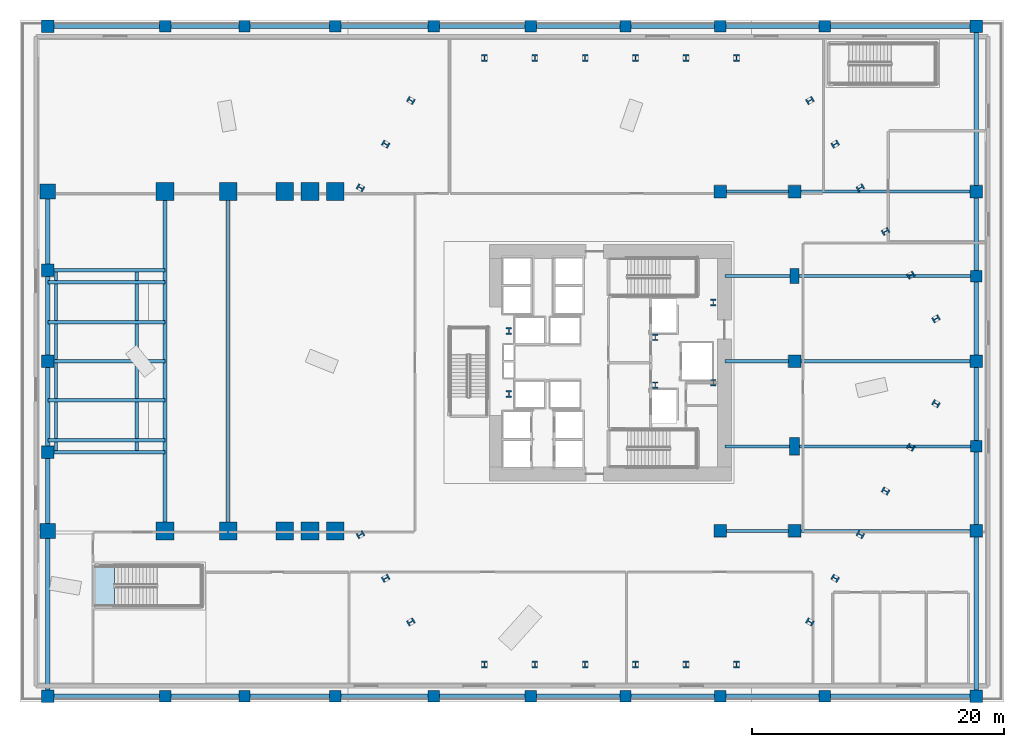
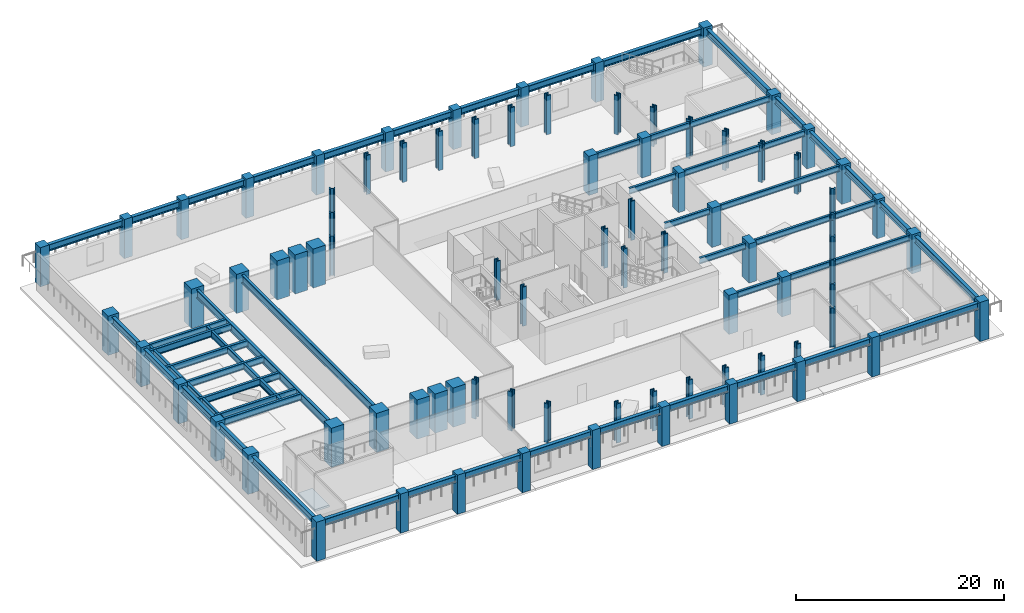
# One storey, part 1 of 18: 83 columns, 29 beams, 1 slab.
"""IFC4 building model written with IfcOpenShell, lengths in metres."""

from ifc_helpers import new_model, si_unit, direction, frame, origin, origin_2d, place, context, subcontext, project, spatial, polyline, rectangle, i_section, outline, extrude, material, layer, layer_set, material_profile, profile_set, type_object, element, save


model = new_model("IFC4")

# Units and contexts
model_context = context("Model", 3, precision=1e-05, world=origin(), true_north=direction((0.0, 1.0)))
body_context = subcontext(model_context, "Body", "Model", "MODEL_VIEW")
ifc_project = project(units=[si_unit("LENGTHUNIT", "METRE"), si_unit("AREAUNIT", "SQUARE_METRE"), si_unit("VOLUMEUNIT", "CUBIC_METRE"), si_unit("PLANEANGLEUNIT", "RADIAN"), si_unit("MASSUNIT", "GRAM", prefix="KILO")], contexts=[model_context])

# Site, building, storey
site_placement = place(None, origin())
site = spatial("IfcSite", under=ifc_project, at=site_placement, CompositionType="ELEMENT")
building_placement = place(site_placement, origin())
building = spatial("IfcBuilding", under=site, at=building_placement, Name="Valkerne Bourse Tower", CompositionType="ELEMENT")
storey_placement = place(building_placement, frame((0.0, 0.0, 14.800048828125)))
storey = spatial("IfcBuildingStorey", under=building, at=storey_placement, Name="L03", CompositionType="ELEMENT", Elevation=14.800048828125)

# Columns
ifc_material_1 = material(Name="Concrete C70/85", Category="concrete")
ifc_material_profile_1 = material_profile(ifc_material_1, rectangle(XDim=1.0, YDim=1.0, at=origin_2d()), Name="RC1000X1000")
ifc_profile_set_1 = profile_set([ifc_material_profile_1], Name="Concrete C70/85")
column_type_1 = type_object("IfcColumnType", Name="COL-RC1000X1000", PredefinedType="COLUMN", material=ifc_profile_set_1)
for number, where, z_axis, x_axis, name in (
    (1, (2.199951171875, 0.449951171875, 0.0048828125), (0.0, 0.0, 1.0), (1.0, 0.0, 0.0), "L03 Podium Column PW-1"),
    (2, (2.199951171875, 19.800048828125, 0.0048828125), (0.0, 0.0, 1.0), (1.0, 0.0, 0.0), "L03 Podium Column PW-3"),
    (3, (2.199951171875, 27.0, 0.0048828125), (0.0, 0.0, 1.0), (1.0, 0.0, 0.0), "L03 Podium Column PW-4"),
    (4, (2.199951171875, 34.199951171875, 0.0048828125), (0.0, 0.0, 1.0), (1.0, 0.0, 0.0), "L03 Podium Column PW-5"),
    (5, (2.199951171875, 53.550048828125, 0.0048828125), (0.0, 0.0, 1.0), (1.0, 0.0, 0.0), "L03 Podium Column PW-7"),
    (6, (75.800048828125, 0.449951171875, 0.0048828125), (0.0, 0.0, 1.0), (1.0, 0.0, 0.0), "L03 Podium Column PS-9"),
    (7, (75.800048828125, 53.550048828125, 0.0048828125), (0.0, 0.0, 1.0), (1.0, 0.0, 0.0), "L03 Podium Column PN-9"),
    (8, (75.800048828125, 13.550048828125, 0.0048828125), (0.0, 0.0, 1.0), (1.0, 0.0, 0.0), "L03 Podium Column PE-1"),
    (9, (75.800048828125, 27.0, 0.0048828125), (0.0, 0.0, 1.0), (1.0, 0.0, 0.0), "L03 Podium Column PE-3"),
    (10, (75.800048828125, 40.449951171875, 0.0048828125), (0.0, 0.0, 1.0), (1.0, 0.0, 0.0), "L03 Podium Column PE-5"),
    (11, (55.5, 13.550048828125, 0.0048828125), (0.0, 0.0, 1.0), (1.0, 0.0, 0.0), "L03 Podium Column PI-C1"),
    (12, (55.5, 40.449951171875, 0.0048828125), (0.0, 0.0, 1.0), (1.0, 0.0, 0.0), "L03 Podium Column PI-C2"),
    (13, (61.39990234375, 13.550048828125, 0.0048828125), (0.0, 0.0, 1.0), (1.0, 0.0, 0.0), "L03 Podium Column PI-E1"),
    (14, (61.39990234375, 27.0, 0.0048828125), (0.0, 0.0, 1.0), (1.0, 0.0, 0.0), "L03 Podium Column PI-E3"),
    (15, (61.39990234375, 40.449951171875, 0.0048828125), (0.0, 0.0, 1.0), (1.0, 0.0, 0.0), "L03 Podium Column PI-E5"),
):
    element("IfcColumn", number, at=place(storey_placement, frame(where, z_axis=z_axis, x_axis=x_axis)), inside=storey, type_object=column_type_1, Name=name, PredefinedType="COLUMN", context=body_context, shape_type="SweptSolid", body=[
        extrude(rectangle(XDim=1.0, YDim=1.0, at=origin_2d()), origin(), (0.0, 0.0, 1.0), 4.594970703125),
    ])
ifc_material_profile_2 = material_profile(ifc_material_1, rectangle(XDim=1.199951171875, YDim=1.199951171875, at=origin_2d()), Name="RC1200X1200")
ifc_profile_set_2 = profile_set([ifc_material_profile_2], Name="Concrete C70/85")
column_type_2 = type_object("IfcColumnType", Name="COL-RC1200X1200", PredefinedType="COLUMN", material=ifc_profile_set_2)
for number, where, z_axis, x_axis, name in (
    (16, (2.199951171875, 13.550048828125, 0.0048828125), (0.0, 0.0, 1.0), (1.0, 0.0, 0.0), "L03 Podium Column PW-2"),
    (17, (2.199951171875, 40.449951171875, 0.0048828125), (0.0, 0.0, 1.0), (1.0, 0.0, 0.0), "L03 Podium Column PW-6"),
):
    element("IfcColumn", number, at=place(storey_placement, frame(where, z_axis=z_axis, x_axis=x_axis)), inside=storey, type_object=column_type_2, Name=name, PredefinedType="COLUMN", context=body_context, shape_type="SweptSolid", body=[
        extrude(rectangle(XDim=1.199951171875, YDim=1.199951171875, at=origin_2d()), origin(), (0.0, 0.0, 1.0), 4.594970703125),
    ])
ifc_material_profile_3 = material_profile(ifc_material_1, rectangle(XDim=1.39990234375, YDim=1.39990234375, at=origin_2d()), Name="RC1400X1400")
ifc_profile_set_3 = profile_set([ifc_material_profile_3], Name="Concrete C70/85")
column_type_3 = type_object("IfcColumnType", Name="COL-RC1400X1400", PredefinedType="COLUMN", material=ifc_profile_set_3)
for number, where, z_axis, x_axis, name in (
    (18, (11.5, 13.550048828125, 0.0048828125), (0.0, 0.0, 1.0), (1.0, 0.0, 0.0), "L03 Podium Column MC-S1"),
    (19, (11.5, 40.449951171875, 0.0048828125), (0.0, 0.0, 1.0), (1.0, 0.0, 0.0), "L03 Podium Column MC-N1"),
    (20, (16.5, 13.550048828125, 0.0048828125), (0.0, 0.0, 1.0), (1.0, 0.0, 0.0), "L03 Podium Column MC-S2"),
    (21, (16.5, 40.449951171875, 0.0048828125), (0.0, 0.0, 1.0), (1.0, 0.0, 0.0), "L03 Podium Column MC-N2"),
    (22, (20.991943359375, 13.550048828125, 0.0048828125), (0.0, 0.0, 1.0), (1.0, 0.0, 0.0), "L03 Podium Column MCH-S1"),
    (23, (20.991943359375, 40.449951171875, 0.0048828125), (0.0, 0.0, 1.0), (1.0, 0.0, 0.0), "L03 Podium Column MCH-N1"),
    (24, (22.990966796875, 13.550048828125, 0.0048828125), (0.0, 0.0, 1.0), (1.0, 0.0, 0.0), "L03 Podium Column MCH-S2"),
    (25, (22.990966796875, 40.449951171875, 0.0048828125), (0.0, 0.0, 1.0), (1.0, 0.0, 0.0), "L03 Podium Column MCH-N2"),
    (26, (24.988037109375, 13.550048828125, 0.0048828125), (0.0, 0.0, 1.0), (1.0, 0.0, 0.0), "L03 Podium Column MCH-S3"),
    (27, (24.988037109375, 40.449951171875, 0.0048828125), (0.0, 0.0, 1.0), (1.0, 0.0, 0.0), "L03 Podium Column MCH-N3"),
):
    element("IfcColumn", number, at=place(storey_placement, frame(where, z_axis=z_axis, x_axis=x_axis)), inside=storey, type_object=column_type_3, Name=name, PredefinedType="COLUMN", context=body_context, shape_type="SweptSolid", body=[
        extrude(rectangle(XDim=1.39990234375, YDim=1.39990234375, at=origin_2d()), origin(), (0.0, 0.0, 1.0), 4.594970703125),
    ])
ifc_material_profile_4 = material_profile(ifc_material_1, rectangle(XDim=0.699951171875, YDim=1.199951171875, at=origin_2d()), Name="RC700X1200")
ifc_profile_set_4 = profile_set([ifc_material_profile_4], Name="Concrete C70/85")
column_type_4 = type_object("IfcColumnType", Name="COL-RC700X1200", PredefinedType="COLUMN", material=ifc_profile_set_4)
column_1_placement = place(storey_placement, frame((61.39990234375, 33.75, 0.0048828125), z_axis=(0.0, 0.0, 1.0), x_axis=(1.0, 0.0, 0.0)))
element("IfcColumn", 28, at=column_1_placement, inside=storey, type_object=column_type_4, Name="L03 Podium Column PI-E4", PredefinedType="COLUMN", context=body_context, shape_type="SweptSolid", body=[
    extrude(rectangle(XDim=0.699951171875, YDim=1.199951171875, at=origin_2d()), origin(), (0.0, 0.0, 1.0), 4.594970703125),
])
ifc_material_profile_5 = material_profile(ifc_material_1, rectangle(XDim=0.800048828125, YDim=1.39990234375, at=origin_2d()), Name="RC800X1400")
ifc_profile_set_5 = profile_set([ifc_material_profile_5], Name="Concrete C70/85")
column_type_5 = type_object("IfcColumnType", Name="COL-RC800X1400", PredefinedType="COLUMN", material=ifc_profile_set_5)
column_2_placement = place(storey_placement, frame((61.39990234375, 20.25, 0.0048828125), z_axis=(0.0, 0.0, 1.0), x_axis=(1.0, 0.0, 0.0)))
element("IfcColumn", 29, at=column_2_placement, inside=storey, type_object=column_type_5, Name="L03 Podium Column PI-E2", PredefinedType="COLUMN", context=body_context, shape_type="SweptSolid", body=[
    extrude(rectangle(XDim=0.800048828125, YDim=1.39990234375, at=origin_2d()), origin(), (0.0, 0.0, 1.0), 4.594970703125),
])
ifc_material_profile_6 = material_profile(ifc_material_1, rectangle(XDim=0.89990234375, YDim=0.89990234375, at=origin_2d()), Name="RC900X900")
ifc_profile_set_6 = profile_set([ifc_material_profile_6], Name="Concrete C70/85")
column_type_6 = type_object("IfcColumnType", Name="COL-RC900X900", PredefinedType="COLUMN", material=ifc_profile_set_6)
for number, where, z_axis, x_axis, name in (
    (30, (11.5, 0.449951171875, 0.0048828125), (0.0, 0.0, 1.0), (1.0, 0.0, 0.0), "L03 Podium Column PS-1"),
    (31, (17.800048828125, 0.449951171875, 0.0048828125), (0.0, 0.0, 1.0), (1.0, 0.0, 0.0), "L03 Podium Column PS-2"),
    (32, (25.0, 0.449951171875, 0.0048828125), (0.0, 0.0, 1.0), (1.0, 0.0, 0.0), "L03 Podium Column PS-3"),
    (33, (32.800048828125, 0.449951171875, 0.0048828125), (0.0, 0.0, 1.0), (1.0, 0.0, 0.0), "L03 Podium Column PS-4"),
    (34, (40.5, 0.449951171875, 0.0048828125), (0.0, 0.0, 1.0), (1.0, 0.0, 0.0), "L03 Podium Column PS-5"),
    (35, (48.0, 0.449951171875, 0.0048828125), (0.0, 0.0, 1.0), (1.0, 0.0, 0.0), "L03 Podium Column PS-6"),
    (36, (55.5, 0.449951171875, 0.0048828125), (0.0, 0.0, 1.0), (1.0, 0.0, 0.0), "L03 Podium Column PS-7"),
    (37, (63.800048828125, 0.449951171875, 0.0048828125), (0.0, 0.0, 1.0), (1.0, 0.0, 0.0), "L03 Podium Column PS-8"),
    (38, (11.5, 53.550048828125, 0.0048828125), (0.0, 0.0, 1.0), (1.0, 0.0, 0.0), "L03 Podium Column PN-1"),
    (39, (17.800048828125, 53.550048828125, 0.0048828125), (0.0, 0.0, 1.0), (1.0, 0.0, 0.0), "L03 Podium Column PN-2"),
    (40, (25.0, 53.550048828125, 0.0048828125), (0.0, 0.0, 1.0), (1.0, 0.0, 0.0), "L03 Podium Column PN-3"),
    (41, (32.800048828125, 53.550048828125, 0.0048828125), (0.0, 0.0, 1.0), (1.0, 0.0, 0.0), "L03 Podium Column PN-4"),
    (42, (40.5, 53.550048828125, 0.0048828125), (0.0, 0.0, 1.0), (1.0, 0.0, 0.0), "L03 Podium Column PN-5"),
    (43, (48.0, 53.550048828125, 0.0048828125), (0.0, 0.0, 1.0), (1.0, 0.0, 0.0), "L03 Podium Column PN-6"),
    (44, (55.5, 53.550048828125, 0.0048828125), (0.0, 0.0, 1.0), (1.0, 0.0, 0.0), "L03 Podium Column PN-7"),
    (45, (63.800048828125, 53.550048828125, 0.0048828125), (0.0, 0.0, 1.0), (1.0, 0.0, 0.0), "L03 Podium Column PN-8"),
    (46, (75.800048828125, 20.25, 0.0048828125), (0.0, 0.0, 1.0), (1.0, 0.0, 0.0), "L03 Podium Column PE-2"),
    (47, (75.800048828125, 33.75, 0.0048828125), (0.0, 0.0, 1.0), (1.0, 0.0, 0.0), "L03 Podium Column PE-4"),
):
    element("IfcColumn", number, at=place(storey_placement, frame(where, z_axis=z_axis, x_axis=x_axis)), inside=storey, type_object=column_type_6, Name=name, PredefinedType="COLUMN", context=body_context, shape_type="SweptSolid", body=[
        extrude(rectangle(XDim=0.89990234375, YDim=0.89990234375, at=origin_2d()), origin(), (0.0, 0.0, 1.0), 4.594970703125),
    ])
ifc_material_2 = material(Name="Steel ASTM A913 Grade 65", Category="steel")
ifc_material_profile_7 = material_profile(ifc_material_2, i_section(OverallWidth=0.44189453125, OverallDepth=0.531005859375, WebThickness=0.06591796875, FlangeThickness=0.105712890625, FilletRadius=0.030517578125, at=origin_2d()), Name="W14X605")
ifc_profile_set_7 = profile_set([ifc_material_profile_7], Name="Steel ASTM A913 Grade 65")
column_type_7 = type_object("IfcColumnType", Name="COL-W14X605", PredefinedType="COLUMN", material=ifc_profile_set_7)
for number, where, z_axis, x_axis, name in (
    (48, (38.75, 24.39990234375, 0.0048828125), (0.0, 0.0, 1.0), (1.0, 0.0, 0.0), "L03 Core Frame Column CC-SW"),
    (49, (38.75, 29.39990234375, 0.0048828125), (0.0, 0.0, 1.0), (1.0, 0.0, 0.0), "L03 Core Frame Column CC-NW"),
    (50, (50.35009765625, 25.10009765625, 0.0048828125), (0.0, 0.0, 1.0), (1.0, 0.0, 0.0), "L03 Core Frame Column CC-CE1"),
    (51, (50.35009765625, 28.89990234375, 0.0048828125), (0.0, 0.0, 1.0), (1.0, 0.0, 0.0), "L03 Core Frame Column CC-CE2"),
    (52, (54.949951171875, 25.300048828125, 0.0048828125), (0.0, 0.0, 1.0), (1.0, 0.0, 0.0), "L03 Core Frame Column CC-SE"),
    (53, (54.949951171875, 31.64990234375, 0.0048828125), (0.0, 0.0, 1.0), (1.0, 0.0, 0.0), "L03 Core Frame Column CC-NE"),
):
    element("IfcColumn", number, at=place(storey_placement, frame(where, z_axis=z_axis, x_axis=x_axis)), inside=storey, type_object=column_type_7, Name=name, PredefinedType="COLUMN", context=body_context, shape_type="SweptSolid", body=[
        extrude(i_section(OverallWidth=0.44189453125, OverallDepth=0.531005859375, WebThickness=0.06591796875, FlangeThickness=0.105712890625, FilletRadius=0.030517578125, at=origin_2d()), origin(), (0.0, 0.0, 1.0), 4.594970703125),
    ])
ifc_material_profile_8 = material_profile(ifc_material_2, i_section(OverallWidth=0.45458984375, OverallDepth=0.569091796875, WebThickness=0.077880859375, FlangeThickness=0.124755859375, FilletRadius=0.030517578125, at=origin_2d()), Name="W14X730")
ifc_profile_set_8 = profile_set([ifc_material_profile_8], Name="Steel ASTM A913 Grade 65")
column_type_8 = type_object("IfcColumnType", Name="COL-W14X730", PredefinedType="COLUMN", material=ifc_profile_set_8)
for number, where, z_axis, x_axis, name in (
    (54, (72.607421875, 30.364501953125, 0.0048828125), (0.0, 0.0, 1.0), (-0.5, 0.866025403784, 0.0), "L03 Tower Base Mega-Column Z1B-00"),
    (55, (70.609619140625, 33.8251953125, 0.0048828125), (0.0, 0.0, 1.0), (-0.5, 0.866025403784, 0.0), "L03 Tower Base Mega-Column Z1B-01"),
    (56, (68.611572265625, 37.285888671875, 0.0048828125), (0.0, 0.0, 1.0), (-0.5, 0.866025403784, 0.0), "L03 Tower Base Mega-Column Z1B-02"),
    (57, (66.613525390625, 40.746337890625, 0.0048828125), (0.0, 0.0, 1.0), (-0.5, 0.866025403784, 0.0), "L03 Tower Base Mega-Column Z1B-03"),
    (58, (64.615478515625, 44.20703125, 0.0048828125), (0.0, 0.0, 1.0), (-0.5, 0.866025403784, 0.0), "L03 Tower Base Mega-Column Z1B-04"),
    (59, (62.617431640625, 47.667724609375, 0.0048828125), (0.0, 0.0, 1.0), (-0.5, 0.866025403784, 0.0), "L03 Tower Base Mega-Column Z1B-05"),
    (60, (56.7900390625, 51.0322265625, 0.0048828125), (0.0, 0.0, 1.0), (-1.0, 0.0, 0.0), "L03 Tower Base Mega-Column Z1B-06"),
    (61, (52.7939453125, 51.0322265625, 0.0048828125), (0.0, 0.0, 1.0), (-1.0, 0.0, 0.0), "L03 Tower Base Mega-Column Z1B-07"),
    (62, (48.798095703125, 51.0322265625, 0.0048828125), (0.0, 0.0, 1.0), (-1.0, 0.0, 0.0), "L03 Tower Base Mega-Column Z1B-08"),
    (63, (44.802001953125, 51.0322265625, 0.0048828125), (0.0, 0.0, 1.0), (-1.0, 0.0, 0.0), "L03 Tower Base Mega-Column Z1B-09"),
    (64, (40.805908203125, 51.0322265625, 0.0048828125), (0.0, 0.0, 1.0), (-1.0, 0.0, 0.0), "L03 Tower Base Mega-Column Z1B-10"),
    (65, (36.81005859375, 51.0322265625, 0.0048828125), (0.0, 0.0, 1.0), (-1.0, 0.0, 0.0), "L03 Tower Base Mega-Column Z1B-11"),
    (66, (30.982421875, 47.667724609375, 0.0048828125), (0.0, 0.0, 1.0), (-0.5, -0.866025403784, 0.0), "L03 Tower Base Mega-Column Z1B-12"),
    (67, (28.984619140625, 44.20703125, 0.0048828125), (0.0, 0.0, 1.0), (-0.5, -0.866025403784, 0.0), "L03 Tower Base Mega-Column Z1B-13"),
    (68, (26.986572265625, 40.746337890625, 0.0048828125), (0.0, 0.0, 1.0), (-0.5, -0.866025403784, 0.0), "L03 Tower Base Mega-Column Z1B-14"),
    (69, (26.986572265625, 13.253662109375, 0.0048828125), (0.0, 0.0, 1.0), (0.5, -0.866025403784, 0.0), "L03 Tower Base Mega-Column Z1B-21"),
    (70, (36.81005859375, 2.9677734375, 0.0048828125), (0.0, 0.0, 1.0), (1.0, 0.0, 0.0), "L03 Tower Base Mega-Column Z1B-24"),
    (71, (40.805908203125, 2.9677734375, 0.0048828125), (0.0, 0.0, 1.0), (1.0, 0.0, 0.0), "L03 Tower Base Mega-Column Z1B-25"),
    (72, (44.802001953125, 2.9677734375, 0.0048828125), (0.0, 0.0, 1.0), (1.0, 0.0, 0.0), "L03 Tower Base Mega-Column Z1B-26"),
    (73, (48.798095703125, 2.9677734375, 0.0048828125), (0.0, 0.0, 1.0), (1.0, 0.0, 0.0), "L03 Tower Base Mega-Column Z1B-27"),
    (74, (52.7939453125, 2.9677734375, 0.0048828125), (0.0, 0.0, 1.0), (1.0, 0.0, 0.0), "L03 Tower Base Mega-Column Z1B-28"),
    (75, (56.7900390625, 2.9677734375, 0.0048828125), (0.0, 0.0, 1.0), (1.0, 0.0, 0.0), "L03 Tower Base Mega-Column Z1B-29"),
    (76, (66.613525390625, 13.253662109375, 0.0048828125), (0.0, 0.0, 1.0), (0.5, 0.866025403784, 0.0), "L03 Tower Base Mega-Column Z1B-32"),
    (77, (68.611572265625, 16.714111328125, 0.0048828125), (0.0, 0.0, 1.0), (0.5, 0.866025403784, 0.0), "L03 Tower Base Mega-Column Z1B-33"),
    (78, (70.609619140625, 20.1748046875, 0.0048828125), (0.0, 0.0, 1.0), (0.5, 0.866025403784, 0.0), "L03 Tower Base Mega-Column Z1B-34"),
    (79, (72.607421875, 23.635498046875, 0.0048828125), (0.0, 0.0, 1.0), (0.5, 0.866025403784, 0.0), "L03 Tower Base Mega-Column Z1B-35"),
    (80, (28.984619140625, 9.79296875, 0.0048828125), (0.0, 0.0, 1.0), (0.5, -0.866025403784, 0.0), "L03 Tower Base Mega-Column Z1B-22"),
    (81, (30.982421875, 6.332275390625, 0.0048828125), (0.0, 0.0, 1.0), (0.5, -0.866025403784, 0.0), "L03 Tower Base Mega-Column Z1B-23"),
    (82, (62.617431640625, 6.332275390625, 0.0048828125), (0.0, 0.0, 1.0), (0.5, 0.866025403784, 0.0), "L03 Tower Base Mega-Column Z1B-30"),
    (83, (64.615478515625, 9.79296875, 0.0048828125), (0.0, 0.0, 1.0), (0.5, 0.866025403784, 0.0), "L03 Tower Base Mega-Column Z1B-31"),
):
    element("IfcColumn", number, at=place(storey_placement, frame(where, z_axis=z_axis, x_axis=x_axis)), inside=storey, type_object=column_type_8, Name=name, PredefinedType="COLUMN", context=body_context, shape_type="SweptSolid", body=[
        extrude(i_section(OverallWidth=0.45458984375, OverallDepth=0.569091796875, WebThickness=0.077880859375, FlangeThickness=0.124755859375, FilletRadius=0.030517578125, at=origin_2d()), origin(), (0.0, 0.0, 1.0), 4.590087890625),
    ])

# Beams
ifc_material_3 = material(Name="Steel ASTM A992", Category="steel")
ifc_material_profile_9 = material_profile(ifc_material_3, i_section(OverallWidth=0.255859375, OverallDepth=0.693359375, WebThickness=0.014404296875, FlangeThickness=0.023681640625, FilletRadius=0.02294921875, at=origin_2d()), Name="W27X114")
ifc_profile_set_9 = profile_set([ifc_material_profile_9], Name="Steel ASTM A992")
beam_type_1 = type_object("IfcBeamType", Name="BM-W27X114", PredefinedType="BEAM", material=ifc_profile_set_9)
beam_1_placement = place(storey_placement, frame((55.5, 13.550048828125, 4.01318359375), z_axis=(1.0, 0.0, 0.0), x_axis=(0.0, 1.0, 0.0)))
element("IfcBeam", 84, at=beam_1_placement, inside=storey, type_object=beam_type_1, Name="L03 East Wing Floor Girder 1 Y13", PredefinedType="BEAM", context=body_context, shape_type="SweptSolid", body=[
    extrude(i_section(OverallWidth=0.255859375, OverallDepth=0.693359375, WebThickness=0.014404296875, FlangeThickness=0.023681640625, FilletRadius=0.02294921875, at=origin_2d()), origin(), (0.0, 0.0, 1.0), 5.89990234375),
])
beam_2_placement = place(storey_placement, frame((61.39990234375, 13.550048828125, 4.01318359375), z_axis=(1.0, 0.0, 0.0), x_axis=(0.0, 1.0, 0.0)))
element("IfcBeam", 85, at=beam_2_placement, inside=storey, type_object=beam_type_1, Name="L03 East Wing Floor Girder 2 Y13", PredefinedType="BEAM", context=body_context, shape_type="SweptSolid", body=[
    extrude(i_section(OverallWidth=0.255859375, OverallDepth=0.693359375, WebThickness=0.014404296875, FlangeThickness=0.023681640625, FilletRadius=0.02294921875, at=origin_2d()), origin(), (0.0, 0.0, 1.0), 14.400146484375),
])
beam_3_placement = place(storey_placement, frame((55.89990234375, 20.25, 4.01318359375), z_axis=(1.0, 0.0, 0.0), x_axis=(0.0, 1.0, 0.0)))
element("IfcBeam", 86, at=beam_3_placement, inside=storey, type_object=beam_type_1, Name="L03 East Wing Floor Girder 1 Y20", PredefinedType="BEAM", context=body_context, shape_type="SweptSolid", body=[
    extrude(i_section(OverallWidth=0.255859375, OverallDepth=0.693359375, WebThickness=0.014404296875, FlangeThickness=0.023681640625, FilletRadius=0.02294921875, at=origin_2d()), origin(), (0.0, 0.0, 1.0), 5.5),
])
beam_4_placement = place(storey_placement, frame((61.39990234375, 20.25, 4.01318359375), z_axis=(1.0, 0.0, 0.0), x_axis=(0.0, 1.0, 0.0)))
element("IfcBeam", 87, at=beam_4_placement, inside=storey, type_object=beam_type_1, Name="L03 East Wing Floor Girder 2 Y20", PredefinedType="BEAM", context=body_context, shape_type="SweptSolid", body=[
    extrude(i_section(OverallWidth=0.255859375, OverallDepth=0.693359375, WebThickness=0.014404296875, FlangeThickness=0.023681640625, FilletRadius=0.02294921875, at=origin_2d()), origin(), (0.0, 0.0, 1.0), 14.400146484375),
])
beam_5_placement = place(storey_placement, frame((55.89990234375, 27.0, 4.01318359375), z_axis=(1.0, 0.0, 0.0), x_axis=(0.0, 1.0, 0.0)))
element("IfcBeam", 88, at=beam_5_placement, inside=storey, type_object=beam_type_1, Name="L03 East Wing Floor Girder 1 Y27", PredefinedType="BEAM", context=body_context, shape_type="SweptSolid", body=[
    extrude(i_section(OverallWidth=0.255859375, OverallDepth=0.693359375, WebThickness=0.014404296875, FlangeThickness=0.023681640625, FilletRadius=0.02294921875, at=origin_2d()), origin(), (0.0, 0.0, 1.0), 5.5),
])
beam_6_placement = place(storey_placement, frame((61.39990234375, 27.0, 4.01318359375), z_axis=(1.0, 0.0, 0.0), x_axis=(0.0, 1.0, 0.0)))
element("IfcBeam", 89, at=beam_6_placement, inside=storey, type_object=beam_type_1, Name="L03 East Wing Floor Girder 2 Y27", PredefinedType="BEAM", context=body_context, shape_type="SweptSolid", body=[
    extrude(i_section(OverallWidth=0.255859375, OverallDepth=0.693359375, WebThickness=0.014404296875, FlangeThickness=0.023681640625, FilletRadius=0.02294921875, at=origin_2d()), origin(), (0.0, 0.0, 1.0), 14.400146484375),
])
beam_7_placement = place(storey_placement, frame((55.89990234375, 33.75, 4.01318359375), z_axis=(1.0, 0.0, 0.0), x_axis=(0.0, 1.0, 0.0)))
element("IfcBeam", 90, at=beam_7_placement, inside=storey, type_object=beam_type_1, Name="L03 East Wing Floor Girder 1 Y33", PredefinedType="BEAM", context=body_context, shape_type="SweptSolid", body=[
    extrude(i_section(OverallWidth=0.255859375, OverallDepth=0.693359375, WebThickness=0.014404296875, FlangeThickness=0.023681640625, FilletRadius=0.02294921875, at=origin_2d()), origin(), (0.0, 0.0, 1.0), 5.5),
])
beam_8_placement = place(storey_placement, frame((61.39990234375, 33.75, 4.01318359375), z_axis=(1.0, 0.0, 0.0), x_axis=(0.0, 1.0, 0.0)))
element("IfcBeam", 91, at=beam_8_placement, inside=storey, type_object=beam_type_1, Name="L03 East Wing Floor Girder 2 Y33", PredefinedType="BEAM", context=body_context, shape_type="SweptSolid", body=[
    extrude(i_section(OverallWidth=0.255859375, OverallDepth=0.693359375, WebThickness=0.014404296875, FlangeThickness=0.023681640625, FilletRadius=0.02294921875, at=origin_2d()), origin(), (0.0, 0.0, 1.0), 14.400146484375),
])
beam_9_placement = place(storey_placement, frame((55.5, 40.449951171875, 4.01318359375), z_axis=(1.0, 0.0, 0.0), x_axis=(0.0, 1.0, 0.0)))
element("IfcBeam", 92, at=beam_9_placement, inside=storey, type_object=beam_type_1, Name="L03 East Wing Floor Girder 1 Y40", PredefinedType="BEAM", context=body_context, shape_type="SweptSolid", body=[
    extrude(i_section(OverallWidth=0.255859375, OverallDepth=0.693359375, WebThickness=0.014404296875, FlangeThickness=0.023681640625, FilletRadius=0.02294921875, at=origin_2d()), origin(), (0.0, 0.0, 1.0), 5.89990234375),
])
beam_10_placement = place(storey_placement, frame((61.39990234375, 40.449951171875, 4.01318359375), z_axis=(1.0, 0.0, 0.0), x_axis=(0.0, 1.0, 0.0)))
element("IfcBeam", 93, at=beam_10_placement, inside=storey, type_object=beam_type_1, Name="L03 East Wing Floor Girder 2 Y40", PredefinedType="BEAM", context=body_context, shape_type="SweptSolid", body=[
    extrude(i_section(OverallWidth=0.255859375, OverallDepth=0.693359375, WebThickness=0.014404296875, FlangeThickness=0.023681640625, FilletRadius=0.02294921875, at=origin_2d()), origin(), (0.0, 0.0, 1.0), 14.400146484375),
])
ifc_material_profile_10 = material_profile(ifc_material_3, i_section(OverallWidth=0.26806640625, OverallDepth=0.76953125, WebThickness=0.015625, FlangeThickness=0.025390625, FilletRadius=0.025390625, at=origin_2d()), Name="W30X132")
ifc_profile_set_10 = profile_set([ifc_material_profile_10], Name="Steel ASTM A992")
beam_type_2 = type_object("IfcBeamType", Name="BM-W30X132", PredefinedType="BEAM", material=ifc_profile_set_10)
for number, where, z_axis, x_axis, name in (
    (94, (2.199951171875, 19.800048828125, 3.97509765625), (1.0, 0.0, 0.0), (0.0, 1.0, 0.0), "L03 Garden Stair Transfer Support Girder 1"),
    (95, (2.199951171875, 20.75, 3.97509765625), (1.0, 0.0, 0.0), (0.0, 1.0, 0.0), "L03 Garden Stair Transfer Support Girder 2"),
    (96, (2.199951171875, 23.89990234375, 3.97509765625), (1.0, 0.0, 0.0), (0.0, 1.0, 0.0), "L03 Garden Stair Transfer Support Girder 3"),
    (97, (2.199951171875, 27.0, 3.97509765625), (1.0, 0.0, 0.0), (0.0, 1.0, 0.0), "L03 Garden Stair Transfer Support Girder 4"),
    (98, (2.199951171875, 30.10009765625, 3.97509765625), (1.0, 0.0, 0.0), (0.0, 1.0, 0.0), "L03 Garden Stair Transfer Support Girder 5"),
    (99, (2.199951171875, 33.25, 3.97509765625), (1.0, 0.0, 0.0), (0.0, 1.0, 0.0), "L03 Garden Stair Transfer Support Girder 6"),
    (100, (2.199951171875, 34.199951171875, 3.97509765625), (1.0, 0.0, 0.0), (0.0, 1.0, 0.0), "L03 Garden Stair Transfer Support Girder 7"),
):
    element("IfcBeam", number, at=place(storey_placement, frame(where, z_axis=z_axis, x_axis=x_axis)), inside=storey, type_object=beam_type_2, Name=name, PredefinedType="BEAM", context=body_context, shape_type="SweptSolid", body=[
        extrude(i_section(OverallWidth=0.26806640625, OverallDepth=0.76953125, WebThickness=0.015625, FlangeThickness=0.025390625, FilletRadius=0.025390625, at=origin_2d()), origin(), (0.0, 0.0, 1.0), 9.300048828125),
    ])
for number, where, z_axis, x_axis, name in (
    (101, (2.85009765625, 19.800048828125, 3.97509765625), (0.0, 1.0, 0.0), (-1.0, 0.0, 0.0), "L03 Garden Stair Transverse Support Beam 1"),
    (102, (9.25, 19.800048828125, 3.97509765625), (0.0, 1.0, 0.0), (-1.0, 0.0, 0.0), "L03 Garden Stair Transverse Support Beam 2"),
):
    element("IfcBeam", number, at=place(storey_placement, frame(where, z_axis=z_axis, x_axis=x_axis)), inside=storey, type_object=beam_type_2, Name=name, PredefinedType="BEAM", context=body_context, shape_type="SweptSolid", body=[
        extrude(i_section(OverallWidth=0.26806640625, OverallDepth=0.76953125, WebThickness=0.015625, FlangeThickness=0.025390625, FilletRadius=0.025390625, at=origin_2d()), origin(), (0.0, 0.0, 1.0), 14.39990234375),
    ])
ifc_material_profile_11 = material_profile(ifc_material_3, i_section(OverallWidth=0.383544921875, OverallDepth=0.784912109375, WebThickness=0.019775390625, FlangeThickness=0.033447265625, FilletRadius=0.025390625, at=origin_2d()), Name="W30X211")
ifc_profile_set_11 = profile_set([ifc_material_profile_11], Name="Steel ASTM A992")
beam_type_3 = type_object("IfcBeamType", Name="BM-W30X211", PredefinedType="SPANDREL", material=ifc_profile_set_11)
beam_11_placement = place(storey_placement, frame((2.199951171875, 0.449951171875, 3.967529296875), z_axis=(1.0, 0.0, 0.0), x_axis=(0.0, 1.0, 0.0)))
element("IfcBeam", 103, at=beam_11_placement, inside=storey, type_object=beam_type_3, Name="L03 Podium Spandrel Girder S1", PredefinedType="SPANDREL", context=body_context, shape_type="SweptSolid", body=[
    extrude(i_section(OverallWidth=0.383544921875, OverallDepth=0.784912109375, WebThickness=0.019775390625, FlangeThickness=0.033447265625, FilletRadius=0.025390625, at=origin_2d()), origin(), (0.0, 0.0, 1.0), 22.800048828125),
])
beam_12_placement = place(storey_placement, frame((25.0, 0.449951171875, 3.967529296875), z_axis=(1.0, 0.0, 0.0), x_axis=(0.0, 1.0, 0.0)))
element("IfcBeam", 104, at=beam_12_placement, inside=storey, type_object=beam_type_3, Name="L03 Podium Spandrel Girder S2", PredefinedType="SPANDREL", context=body_context, shape_type="SweptSolid", body=[
    extrude(i_section(OverallWidth=0.383544921875, OverallDepth=0.784912109375, WebThickness=0.019775390625, FlangeThickness=0.033447265625, FilletRadius=0.025390625, at=origin_2d()), origin(), (0.0, 0.0, 1.0), 23.0),
])
beam_13_placement = place(storey_placement, frame((48.0, 0.449951171875, 3.967529296875), z_axis=(1.0, 0.0, 0.0), x_axis=(0.0, 1.0, 0.0)))
element("IfcBeam", 105, at=beam_13_placement, inside=storey, type_object=beam_type_3, Name="L03 Podium Spandrel Girder S3", PredefinedType="SPANDREL", context=body_context, shape_type="SweptSolid", body=[
    extrude(i_section(OverallWidth=0.383544921875, OverallDepth=0.784912109375, WebThickness=0.019775390625, FlangeThickness=0.033447265625, FilletRadius=0.025390625, at=origin_2d()), origin(), (0.0, 0.0, 1.0), 27.800048828125),
])
beam_14_placement = place(storey_placement, frame((2.199951171875, 53.550048828125, 3.967529296875), z_axis=(1.0, 0.0, 0.0), x_axis=(0.0, 1.0, 0.0)))
element("IfcBeam", 106, at=beam_14_placement, inside=storey, type_object=beam_type_3, Name="L03 Podium Spandrel Girder N1", PredefinedType="SPANDREL", context=body_context, shape_type="SweptSolid", body=[
    extrude(i_section(OverallWidth=0.383544921875, OverallDepth=0.784912109375, WebThickness=0.019775390625, FlangeThickness=0.033447265625, FilletRadius=0.025390625, at=origin_2d()), origin(), (0.0, 0.0, 1.0), 38.300048828125),
])
beam_15_placement = place(storey_placement, frame((40.5, 53.550048828125, 3.967529296875), z_axis=(1.0, 0.0, 0.0), x_axis=(0.0, 1.0, 0.0)))
element("IfcBeam", 107, at=beam_15_placement, inside=storey, type_object=beam_type_3, Name="L03 Podium Spandrel Girder N2", PredefinedType="SPANDREL", context=body_context, shape_type="SweptSolid", body=[
    extrude(i_section(OverallWidth=0.383544921875, OverallDepth=0.784912109375, WebThickness=0.019775390625, FlangeThickness=0.033447265625, FilletRadius=0.025390625, at=origin_2d()), origin(), (0.0, 0.0, 1.0), 35.300048828125),
])
for number, where, z_axis, x_axis, name in (
    (108, (75.800048828125, 0.449951171875, 3.967529296875), (0.0, 1.0, 0.0), (-1.0, 0.0, 0.0), "L03 Podium Spandrel Girder E1"),
    (109, (75.800048828125, 27.0, 3.967529296875), (0.0, 1.0, 0.0), (-1.0, 0.0, 0.0), "L03 Podium Spandrel Girder E2"),
):
    element("IfcBeam", number, at=place(storey_placement, frame(where, z_axis=z_axis, x_axis=x_axis)), inside=storey, type_object=beam_type_3, Name=name, PredefinedType="SPANDREL", context=body_context, shape_type="SweptSolid", body=[
        extrude(i_section(OverallWidth=0.383544921875, OverallDepth=0.784912109375, WebThickness=0.019775390625, FlangeThickness=0.033447265625, FilletRadius=0.025390625, at=origin_2d()), origin(), (0.0, 0.0, 1.0), 26.550048828125),
    ])
beam_16_placement = place(storey_placement, frame((2.199951171875, 0.449951171875, 3.967529296875), z_axis=(0.0, 1.0, 0.0), x_axis=(-1.0, 0.0, 0.0)))
element("IfcBeam", 110, at=beam_16_placement, inside=storey, type_object=beam_type_3, Name="L03 Podium Spandrel Girder W1", PredefinedType="SPANDREL", context=body_context, shape_type="SweptSolid", body=[
    extrude(i_section(OverallWidth=0.383544921875, OverallDepth=0.784912109375, WebThickness=0.019775390625, FlangeThickness=0.033447265625, FilletRadius=0.025390625, at=origin_2d()), origin(), (0.0, 0.0, 1.0), 40.0),
])
ifc_material_profile_12 = material_profile(ifc_material_2, i_section(OverallWidth=0.310302734375, OverallDepth=0.949951171875, WebThickness=0.0244140625, FlangeThickness=0.0439453125, FilletRadius=0.02783203125, at=origin_2d()), Name="W36X256")
ifc_profile_set_12 = profile_set([ifc_material_profile_12], Name="Steel ASTM A913 Grade 65")
beam_type_4 = type_object("IfcBeamType", Name="BM-W36X256", PredefinedType="BEAM", material=ifc_profile_set_12)
for number, where, z_axis, x_axis, name in (
    (111, (11.5, 13.550048828125, 3.885009765625), (0.0, 1.0, 0.0), (-1.0, 0.0, 0.0), "L03 Clear-Span Hall/Trading Girder X11"),
    (112, (16.5, 13.550048828125, 3.885009765625), (0.0, 1.0, 0.0), (-1.0, 0.0, 0.0), "L03 Clear-Span Hall/Trading Girder X16"),
):
    element("IfcBeam", number, at=place(storey_placement, frame(where, z_axis=z_axis, x_axis=x_axis)), inside=storey, type_object=beam_type_4, Name=name, PredefinedType="BEAM", context=body_context, shape_type="SweptSolid", body=[
        extrude(i_section(OverallWidth=0.310302734375, OverallDepth=0.949951171875, WebThickness=0.0244140625, FlangeThickness=0.0439453125, FilletRadius=0.02783203125, at=origin_2d()), origin(), (0.0, 0.0, 1.0), 26.89990234375),
    ])

# Slab
ifc_material_4 = material(Name="Concrete C40/50", Category="concrete")
ifc_layer = layer(ifc_material_4, 0.25)
ifc_layer_set = layer_set([ifc_layer], Name="Concrete C40/50")
slab_type = type_object("IfcSlabType", Name="SLB-RMP-LND-250", PredefinedType="LANDING", material=ifc_layer_set)
slab_placement = place(storey_placement, frame((0.0, 0.0, -0.239990234375)))
element("IfcSlab", 113, at=slab_placement, inside=storey, type_object=slab_type, Name="L03 ST-P1 Floor Landing Slab", PredefinedType="LANDING", context=body_context, shape_type="SweptSolid", body=[
    extrude(outline(polyline([(5.919921875, 7.5400390625), (7.5, 7.5400390625), (7.5, 10.81005859375), (5.919921875, 10.81005859375), (5.919921875, 7.5400390625)])), origin(), (0.0, 0.0, 1.0), 0.239990234375),
])

save(model, "model.ifc")
